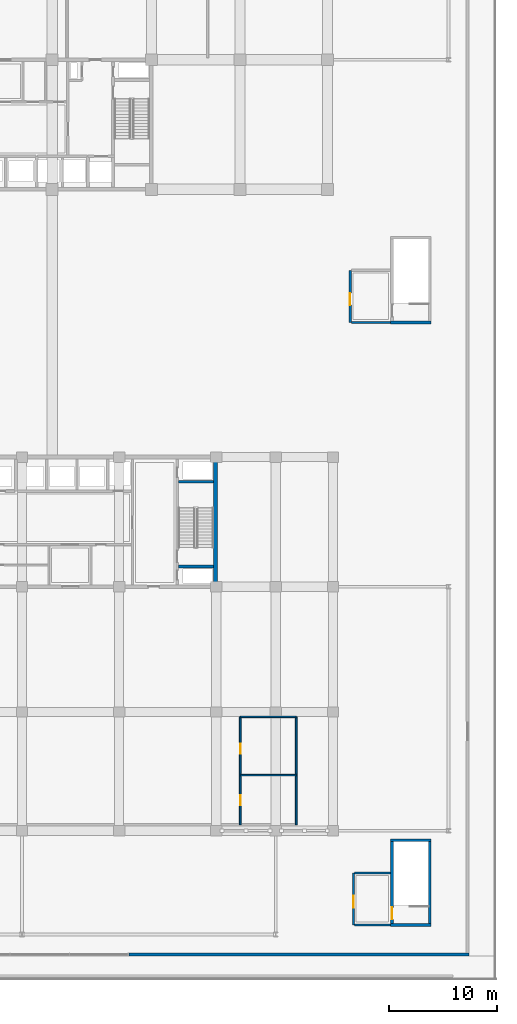
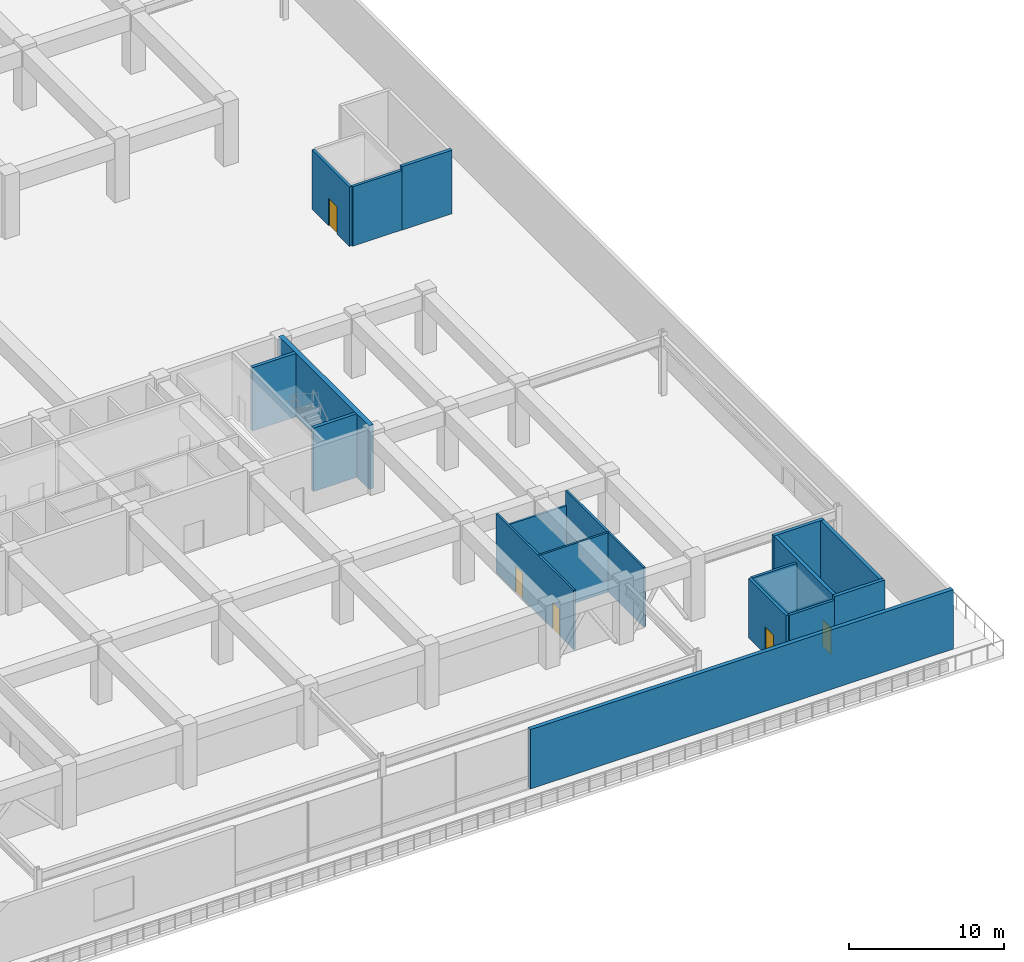
# One storey, part 26 of 38: 18 walls, 5 doors, 5 openings.
"""IFC4 building model written with IfcOpenShell, lengths in metres."""

from ifc_helpers import new_model, si_unit, direction, frame, frame_2d, origin, place, context, subcontext, project, spatial, rectangle, extrude, material, layer, layer_set, type_object, element, fill, save


model = new_model("IFC4")

# Units and contexts
model_context = context("Model", 3, precision=1e-05, world=origin(), true_north=direction((0.0, 1.0)))
body_context = subcontext(model_context, "Body", "Model", "MODEL_VIEW")
ifc_project = project(units=[si_unit("LENGTHUNIT", "METRE"), si_unit("AREAUNIT", "SQUARE_METRE"), si_unit("VOLUMEUNIT", "CUBIC_METRE"), si_unit("PLANEANGLEUNIT", "RADIAN"), si_unit("MASSUNIT", "GRAM", prefix="KILO")], contexts=[model_context])

# Site, building, storey
site_placement = place(None, origin())
site = spatial("IfcSite", under=ifc_project, at=site_placement, CompositionType="ELEMENT")
building_placement = place(site_placement, origin())
building = spatial("IfcBuilding", under=site, at=building_placement, Name="Korimba Cascade Residences", CompositionType="ELEMENT")
storey_placement = place(building_placement, frame((0.0, 0.0, 19.0)))
storey = spatial("IfcBuildingStorey", under=building, at=storey_placement, Name="L04", CompositionType="ELEMENT", Elevation=19.0)

# Walls
ifc_material_1 = material(Name="Precast concrete C40/50", Category="concrete")
ifc_layer_1 = layer(ifc_material_1, 0.300048828125)
ifc_layer_set_1 = layer_set([ifc_layer_1], Name="Precast concrete C40/50")
wall_type_1 = type_object("IfcWallType", Name="EW-STONE-300", PredefinedType="STANDARD", material=ifc_layer_set_1)
wall_1_placement = place(storey_placement, frame((110.0, -15.64990234375, 0.0), z_axis=(0.0, 0.0, 1.0), x_axis=(1.0, 0.0, 0.0)))
element("IfcWall", 1, at=wall_1_placement, inside=storey, type_object=wall_type_1, Name="L04 South-East Podium Wall", PredefinedType="STANDARD", context=body_context, shape_type="SweptSolid", body=[
    extrude(rectangle(XDim=31.5, YDim=0.300048828125, at=frame_2d((15.75, 0.0))), origin(), (0.0, 0.0, 1.0), 4.679931640625),
])
ifc_material_2 = material(Name="Concrete C65/80", Category="concrete")
ifc_layer_2 = layer(ifc_material_2, 0.35009765625)
ifc_layer_set_2 = layer_set([ifc_layer_2], Name="Concrete C65/80")
wall_type_2 = type_object("IfcWallType", Name="WAL-CORE-350", PredefinedType="SHEAR", material=ifc_layer_set_2)
wall_2_placement = place(storey_placement, frame((118.014892578125, 18.574951171875, 0.0), z_axis=(0.0, 0.0, 1.0), x_axis=(0.0, 1.0, 0.0)))
element("IfcWall", 2, at=wall_2_placement, inside=storey, type_object=wall_type_2, Name="L04 Core Shear Wall CW-L04-T2-E", PredefinedType="SHEAR", context=body_context, shape_type="SweptSolid", body=[
    extrude(rectangle(XDim=11.650146484375, YDim=0.35009765625, at=frame_2d((5.8251953125, 0.0))), origin(), (0.0, 0.0, 1.0), 5.0),
])

# Wall, openings, doors
ifc_material_3 = material(Name="Insulated Acoustic Stud Partition", Category="gypsum")
ifc_layer_3 = layer(ifc_material_3, 0.14990234375)
ifc_layer_set_3 = layer_set([ifc_layer_3], Name="Insulated Acoustic Stud Partition")
wall_type_3 = type_object("IfcWallType", Name="WAL-PART-150", PredefinedType="PARTITIONING", material=ifc_layer_set_3)
wall_3_placement = place(storey_placement, frame((120.320068359375, -3.64990234375, 0.0), z_axis=(0.0, 0.0, 1.0), x_axis=(0.0, 1.0, 0.0)))
wall_3 = element("IfcWall", 3, at=wall_3_placement, inside=storey, type_object=wall_type_3, Name="L04 Partition Wall WAL-L04-WCW", PredefinedType="PARTITIONING", context=body_context, shape_type="SweptSolid", body=[
    extrude(rectangle(XDim=10.0, YDim=0.14990234375, at=frame_2d((5.0, 0.0))), origin(), (0.0, 0.0, 1.0), 4.679931640625),
])
opening_1_placement = place(wall_3_placement, frame((1.800048828125, 0.0, 0.0)))
opening_1 = element("IfcOpeningElement", 4, at=opening_1_placement, cuts=wall_3, Name="Opening D-AC1", PredefinedType="OPENING", context=body_context, shape_type="SweptSolid", body=[
    extrude(rectangle(XDim=0.9599609375, YDim=2.10009765625, at=frame_2d((0.47998046875, 1.050048828125))), frame((0.0, 0.0849609375, 0.0), z_axis=(0.0, -1.0, 0.0), x_axis=(1.0, 0.0, 0.0)), (0.0, 0.0, 1.0), 0.169921875),
])
opening_2_placement = place(wall_3_placement, frame((6.60009765625, 0.0, 0.0)))
opening_2 = element("IfcOpeningElement", 5, at=opening_2_placement, cuts=wall_3, Name="Opening D-IN1", PredefinedType="OPENING", context=body_context, shape_type="SweptSolid", body=[
    extrude(rectangle(XDim=0.919921875, YDim=2.080078125, at=frame_2d((0.4599609375, 1.0400390625))), frame((0.0, 0.0849609375, 0.0), z_axis=(0.0, -1.0, 0.0), x_axis=(1.0, 0.0, 0.0)), (0.0, 0.0, 1.0), 0.169921875),
])
ifc_material_4 = material(Name="Accessible Acoustic Timber WC Door", Category="wood")
door_type_1 = type_object("IfcDoorType", Name="DR-ACC-950", OperationType="NOTDEFINED", PredefinedType="DOOR", material=ifc_material_4)
door_1_placement = place(opening_1_placement, origin())
door_1 = element("IfcDoor", 6, at=door_1_placement, inside=storey, type_object=door_type_1, Name="L04 Accessible WC Door", OperationType="SINGLE_SWING_RIGHT", OverallHeight=2.10009765625, OverallWidth=0.9599609375, PredefinedType="DOOR", context=body_context, shape_type="SweptSolid", body=[
    extrude(rectangle(XDim=0.9599609375, YDim=2.10009765625, at=frame_2d((0.47998046875, 1.050048828125))), frame((0.0, 0.02490234375, 0.0), z_axis=(0.0, -1.0, 0.0), x_axis=(1.0, 0.0, 0.0)), (0.0, 0.0, 1.0), 0.050048828125),
])
fill(opening_1, door_1)
ifc_material_5 = material(Name="Acoustic Timber Living Door", Category="wood")
door_type_2 = type_object("IfcDoorType", Name="DR-INT-920", OperationType="NOTDEFINED", PredefinedType="DOOR", material=ifc_material_5)
door_2_placement = place(opening_2_placement, origin())
door_2 = element("IfcDoor", 7, at=door_2_placement, inside=storey, type_object=door_type_2, Name="L04 Restroom Door", OperationType="SINGLE_SWING_LEFT", OverallHeight=2.080078125, OverallWidth=0.919921875, PredefinedType="DOOR", context=body_context, shape_type="SweptSolid", body=[
    extrude(rectangle(XDim=0.919921875, YDim=2.080078125, at=frame_2d((0.4599609375, 1.0400390625))), frame((0.0, 0.02490234375, 0.0), z_axis=(0.0, -1.0, 0.0), x_axis=(1.0, 0.0, 0.0)), (0.0, 0.0, 1.0), 0.050048828125),
])
fill(opening_2, door_2)

# Walls
wall_4_placement = place(storey_placement, frame((120.320068359375, 0.949951171875, 0.0), z_axis=(0.0, 0.0, 1.0), x_axis=(1.0, 0.0, 0.0)))
element("IfcWall", 8, at=wall_4_placement, inside=storey, type_object=wall_type_3, Name="L04 Partition Wall WAL-L04-WCH1", PredefinedType="PARTITIONING", context=body_context, shape_type="SweptSolid", body=[
    extrude(rectangle(XDim=5.179931640625, YDim=0.14990234375, at=frame_2d((2.58984375, 0.0))), origin(), (0.0, 0.0, 1.0), 4.679931640625),
])
wall_5_placement = place(storey_placement, frame((120.320068359375, 6.35009765625, 0.0), z_axis=(0.0, 0.0, 1.0), x_axis=(1.0, 0.0, 0.0)))
element("IfcWall", 9, at=wall_5_placement, inside=storey, type_object=wall_type_3, Name="L04 Partition Wall WAL-L04-WCH2", PredefinedType="PARTITIONING", context=body_context, shape_type="SweptSolid", body=[
    extrude(rectangle(XDim=5.179931640625, YDim=0.14990234375, at=frame_2d((2.58984375, 0.0))), origin(), (0.0, 0.0, 1.0), 3.530029296875),
])
wall_6_placement = place(storey_placement, frame((125.5, -3.64990234375, 0.0), z_axis=(0.0, 0.0, 1.0), x_axis=(0.0, 1.0, 0.0)))
element("IfcWall", 10, at=wall_6_placement, inside=storey, type_object=wall_type_3, Name="L04 Partition Wall WAL-L04-WCE", PredefinedType="PARTITIONING", context=body_context, shape_type="SweptSolid", body=[
    extrude(rectangle(XDim=10.0, YDim=0.14990234375, at=frame_2d((5.0, 0.0))), origin(), (0.0, 0.0, 1.0), 4.679931640625),
])

# Wall, opening, door
ifc_material_6 = material(Name="Concrete C40/50", Category="concrete")
ifc_layer_4 = layer(ifc_material_6, 0.199951171875)
ifc_layer_set_4 = layer_set([ifc_layer_4], Name="Concrete C40/50")
wall_type_4 = type_object("IfcWallType", Name="WAL-PART-200", PredefinedType="PARTITIONING", material=ifc_layer_set_4)
wall_7_placement = place(storey_placement, frame((130.5, 42.875, 0.0), z_axis=(0.0, 0.0, 1.0), x_axis=(0.0, 1.0, 0.0)))
wall_7 = element("IfcWall", 11, at=wall_7_placement, inside=storey, type_object=wall_type_4, Name="L04 Partition Wall CW-L04-PLEW", PredefinedType="PARTITIONING", context=body_context, shape_type="SweptSolid", body=[
    extrude(rectangle(XDim=4.824951171875, YDim=0.199951171875, at=frame_2d((2.41259765625, 0.0))), origin(), (0.0, 0.0, 1.0), 4.679931640625),
])
opening_3_placement = place(wall_7_placement, frame((1.60009765625, 0.0, 0.0)))
opening_3 = element("IfcOpeningElement", 12, at=opening_3_placement, cuts=wall_7, Name="Opening D-FD6", PredefinedType="OPENING", context=body_context, shape_type="SweptSolid", body=[
    extrude(rectangle(XDim=1.10009765625, YDim=2.14990234375, at=frame_2d((0.550048828125, 1.074951171875))), frame((0.0, 0.10986328125, 0.0), z_axis=(0.0, -1.0, 0.0), x_axis=(1.0, 0.0, 0.0)), (0.0, 0.0, 1.0), 0.219970703125),
])
ifc_material_7 = material(Name="Fire-Rated Timber Stair Lobby Door", Category="wood")
door_type_3 = type_object("IfcDoorType", Name="DR-FD90-1100", OperationType="NOTDEFINED", PredefinedType="DOOR", material=ifc_material_7)
door_3_placement = place(opening_3_placement, origin())
door_3 = element("IfcDoor", 13, at=door_3_placement, inside=storey, type_object=door_type_3, Name="L04 East Stair Vestibule Door", OperationType="SINGLE_SWING_RIGHT", OverallHeight=2.14990234375, OverallWidth=1.10009765625, PredefinedType="DOOR", context=body_context, shape_type="SweptSolid", body=[
    extrude(rectangle(XDim=1.10009765625, YDim=2.14990234375, at=frame_2d((0.550048828125, 1.074951171875))), frame((0.0, 0.02490234375, 0.0), z_axis=(0.0, -1.0, 0.0), x_axis=(1.0, 0.0, 0.0)), (0.0, 0.0, 1.0), 0.050048828125),
])
fill(opening_3, door_3)

# Wall
wall_8_placement = place(storey_placement, frame((130.60009765625, 42.875, 0.0), z_axis=(0.0, 0.0, 1.0), x_axis=(1.0, 0.0, 0.0)))
element("IfcWall", 14, at=wall_8_placement, inside=storey, type_object=wall_type_4, Name="L04 Partition Wall CW-L04-PLES", PredefinedType="PARTITIONING", context=body_context, shape_type="SweptSolid", body=[
    extrude(rectangle(XDim=3.64990234375, YDim=0.199951171875, at=frame_2d((1.824951171875, 0.0))), origin(), (0.0, 0.0, 1.0), 4.679931640625),
])

# Wall, opening, door
wall_9_placement = place(storey_placement, frame((130.800048828125, -12.925048828125, 0.0), z_axis=(0.0, 0.0, 1.0), x_axis=(0.0, 1.0, 0.0)))
wall_9 = element("IfcWall", 15, at=wall_9_placement, inside=storey, type_object=wall_type_4, Name="L04 Partition Wall CW-L04-PL6W", PredefinedType="PARTITIONING", context=body_context, shape_type="SweptSolid", body=[
    extrude(rectangle(XDim=4.824951171875, YDim=0.199951171875, at=frame_2d((2.41259765625, 0.0))), origin(), (0.0, 0.0, 1.0), 4.679931640625),
])
opening_4_placement = place(wall_9_placement, frame((1.60009765625, 0.0, 0.0)))
opening_4 = element("IfcOpeningElement", 16, at=opening_4_placement, cuts=wall_9, Name="Opening D-FD6", PredefinedType="OPENING", context=body_context, shape_type="SweptSolid", body=[
    extrude(rectangle(XDim=1.10009765625, YDim=2.14990234375, at=frame_2d((0.550048828125, 1.074951171875))), frame((0.0, 0.10986328125, 0.0), z_axis=(0.0, -1.0, 0.0), x_axis=(1.0, 0.0, 0.0)), (0.0, 0.0, 1.0), 0.219970703125),
])
door_4_placement = place(opening_4_placement, origin())
door_4 = element("IfcDoor", 17, at=door_4_placement, inside=storey, type_object=door_type_3, Name="L04 South-East Stair Vestibule Door", OperationType="SINGLE_SWING_RIGHT", OverallHeight=2.14990234375, OverallWidth=1.10009765625, PredefinedType="DOOR", context=body_context, shape_type="SweptSolid", body=[
    extrude(rectangle(XDim=1.10009765625, YDim=2.14990234375, at=frame_2d((0.550048828125, 1.074951171875))), frame((0.0, 0.02490234375, 0.0), z_axis=(0.0, -1.0, 0.0), x_axis=(1.0, 0.0, 0.0)), (0.0, 0.0, 1.0), 0.050048828125),
])
fill(opening_4, door_4)

# Walls
for number, where, z_axis, x_axis, name in (
    (18, (130.89990234375, -12.925048828125, 0.0), (0.0, 0.0, 1.0), (1.0, 0.0, 0.0), "L04 Partition Wall CW-L04-PL6S"),
    (19, (130.89990234375, -8.10009765625, 0.0), (0.0, 0.0, 1.0), (1.0, 0.0, 0.0), "L04 Partition Wall CW-L04-PL6N"),
):
    element("IfcWall", number, at=place(storey_placement, frame(where, z_axis=z_axis, x_axis=x_axis)), inside=storey, type_object=wall_type_4, Name=name, PredefinedType="PARTITIONING", context=body_context, shape_type="SweptSolid", body=[
        extrude(rectangle(XDim=3.35009765625, YDim=0.199951171875, at=frame_2d((1.675048828125, 0.0))), origin(), (0.0, 0.0, 1.0), 4.679931640625),
    ])
ifc_material_8 = material(Name="Concrete C50/60", Category="concrete")
ifc_layer_5 = layer(ifc_material_8, 0.25)
ifc_layer_set_5 = layer_set([ifc_layer_5], Name="Concrete C50/60")
wall_type_5 = type_object("IfcWallType", Name="WAL-SHAFT-250", PredefinedType="SHEAR", material=ifc_layer_set_5)
for number, where, z_axis, x_axis, name in (
    (20, (114.60009765625, 20.27490234375, 0.0), (0.0, 0.0, 1.0), (1.0, 0.0, 0.0), "L04 Core Shear Wall CW-L04-T2-STE2S"),
    (21, (114.60009765625, 28.125, 0.0), (0.0, 0.0, 1.0), (1.0, 0.0, 0.0), "L04 Core Shear Wall CW-L04-T2-STE2N"),
):
    element("IfcWall", number, at=place(storey_placement, frame(where, z_axis=z_axis, x_axis=x_axis)), inside=storey, type_object=wall_type_5, Name=name, PredefinedType="SHEAR", context=body_context, shape_type="SweptSolid", body=[
        extrude(rectangle(XDim=3.239990234375, YDim=0.25, at=frame_2d((1.6201171875, 0.0))), origin(), (0.0, 0.0, 1.0), 5.0),
    ])
wall_10_placement = place(storey_placement, frame((134.25, 42.875, 0.0), z_axis=(0.0, 0.0, 1.0), x_axis=(1.0, 0.0, 0.0)))
element("IfcWall", 22, at=wall_10_placement, inside=storey, type_object=wall_type_5, Name="L04 Core Shear Wall CW-L04-STP2S", PredefinedType="SHEAR", context=body_context, shape_type="SweptSolid", body=[
    extrude(rectangle(XDim=3.739990234375, YDim=0.25, at=frame_2d((1.8701171875, 0.0))), origin(), (0.0, 0.0, 1.0), 5.0),
])

# Wall, opening, door
wall_11_placement = place(storey_placement, frame((134.375, -12.800048828125, 0.0), z_axis=(0.0, 0.0, 1.0), x_axis=(0.0, 1.0, 0.0)))
wall_11 = element("IfcWall", 23, at=wall_11_placement, inside=storey, type_object=wall_type_5, Name="L04 Core Shear Wall CW-L04-STP6W", PredefinedType="SHEAR", context=body_context, shape_type="SweptSolid", body=[
    extrude(rectangle(XDim=7.60009765625, YDim=0.25, at=frame_2d((3.800048828125, 0.0))), origin(), (0.0, 0.0, 1.0), 5.0),
])
opening_5_placement = place(wall_11_placement, frame((0.39990234375, 0.0, 0.0)))
opening_5 = element("IfcOpeningElement", 24, at=opening_5_placement, cuts=wall_11, Name="Opening D-FD1", PredefinedType="OPENING", context=body_context, shape_type="SweptSolid", body=[
    extrude(rectangle(XDim=1.10009765625, YDim=2.10009765625, at=frame_2d((0.550048828125, 1.050048828125))), frame((0.0, 0.135009765625, 0.0), z_axis=(0.0, -1.0, 0.0), x_axis=(1.0, 0.0, 0.0)), (0.0, 0.0, 1.0), 0.27001953125),
])
ifc_material_9 = material(Name="Fire-Rated Steel Core Door", Category="steel")
door_type_4 = type_object("IfcDoorType", Name="DR-FD120-1100", OperationType="NOTDEFINED", PredefinedType="DOOR", material=ifc_material_9)
door_5_placement = place(opening_5_placement, origin())
door_5 = element("IfcDoor", 25, at=door_5_placement, inside=storey, type_object=door_type_4, Name="L04 Podium Stair ST-P6 Door", OperationType="SINGLE_SWING_LEFT", OverallHeight=2.10009765625, OverallWidth=1.10009765625, PredefinedType="DOOR", context=body_context, shape_type="SweptSolid", body=[
    extrude(rectangle(XDim=1.10009765625, YDim=2.10009765625, at=frame_2d((0.550048828125, 1.050048828125))), frame((0.0, 0.02490234375, 0.0), z_axis=(0.0, -1.0, 0.0), x_axis=(1.0, 0.0, 0.0)), (0.0, 0.0, 1.0), 0.050048828125),
])
fill(opening_5, door_5)

# Walls
wall_12_placement = place(storey_placement, frame((137.864990234375, -12.800048828125, 0.0), z_axis=(0.0, 0.0, 1.0), x_axis=(0.0, 1.0, 0.0)))
element("IfcWall", 26, at=wall_12_placement, inside=storey, type_object=wall_type_5, Name="L04 Core Shear Wall CW-L04-STP6E", PredefinedType="SHEAR", context=body_context, shape_type="SweptSolid", body=[
    extrude(rectangle(XDim=7.60009765625, YDim=0.25, at=frame_2d((3.800048828125, 0.0))), origin(), (0.0, 0.0, 1.0), 5.0),
])
for number, where, z_axis, x_axis, name in (
    (27, (134.25, -12.925048828125, 0.0), (0.0, 0.0, 1.0), (1.0, 0.0, 0.0), "L04 Core Shear Wall CW-L04-STP6S"),
    (28, (134.25, -5.074951171875, 0.0), (0.0, 0.0, 1.0), (1.0, 0.0, 0.0), "L04 Core Shear Wall CW-L04-STP6N"),
):
    element("IfcWall", number, at=place(storey_placement, frame(where, z_axis=z_axis, x_axis=x_axis)), inside=storey, type_object=wall_type_5, Name=name, PredefinedType="SHEAR", context=body_context, shape_type="SweptSolid", body=[
        extrude(rectangle(XDim=3.739990234375, YDim=0.25, at=frame_2d((1.8701171875, 0.0))), origin(), (0.0, 0.0, 1.0), 5.0),
    ])

save(model, "model.ifc")
